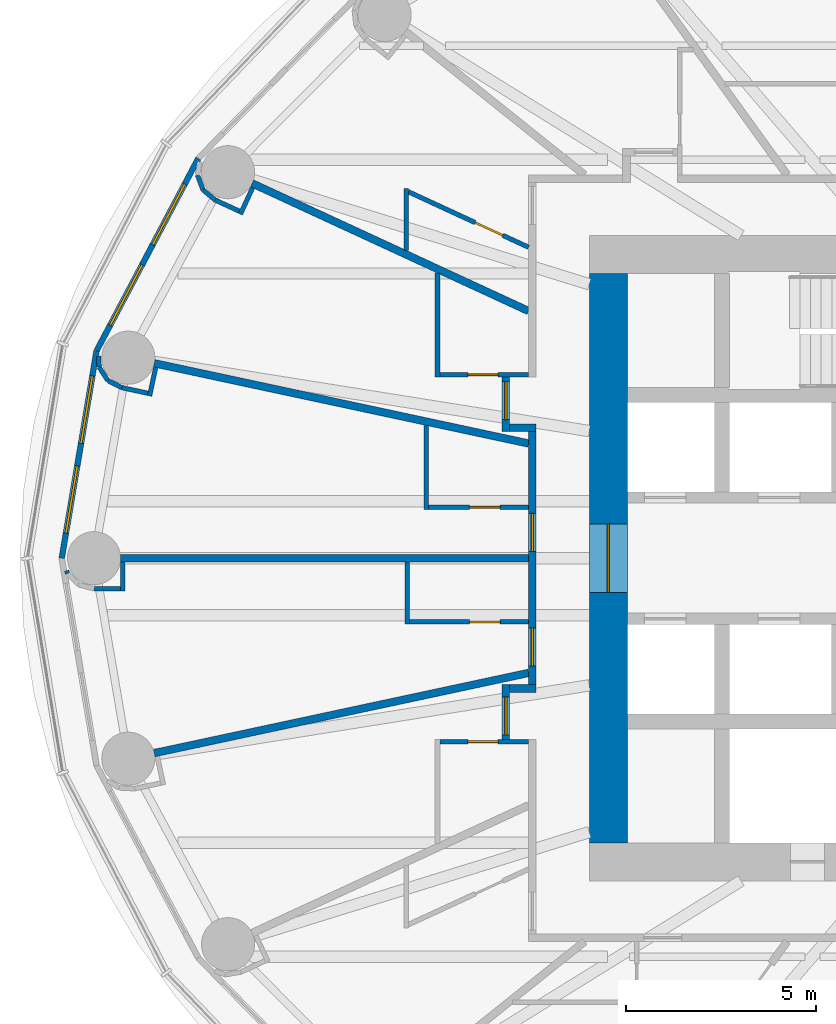
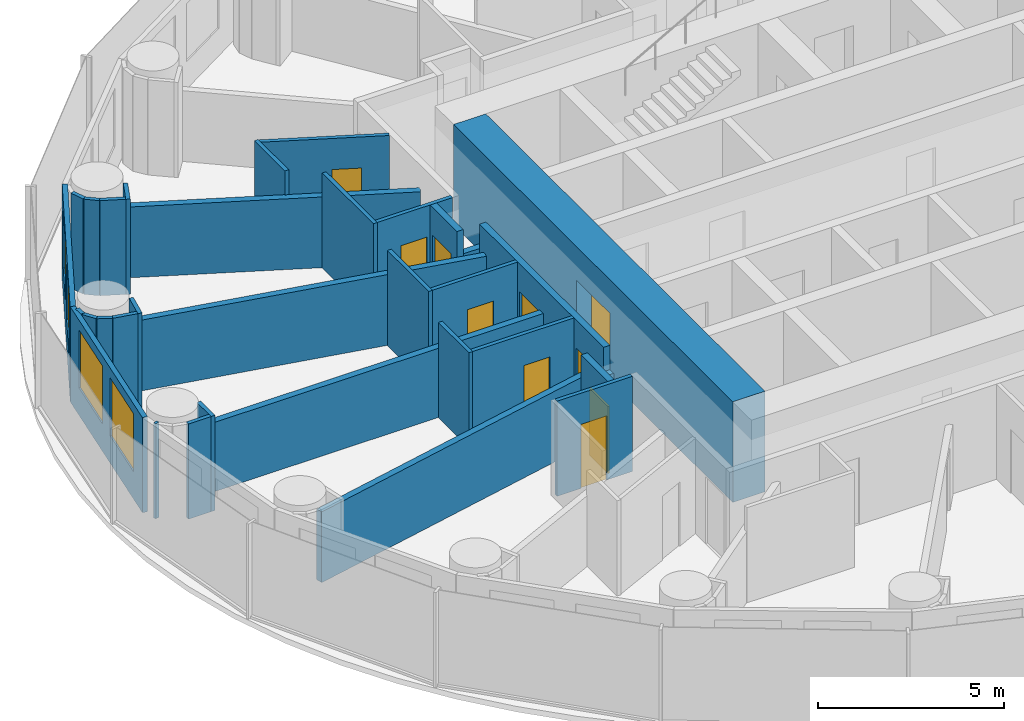
# One storey, part 8 of 16: 33 walls, 10 doors, 4 windows, 14 openings.
"""IFC4 building model written with IfcOpenShell, lengths in metres."""

from ifc_helpers import new_model, si_unit, direction, frame, frame_2d, origin, place, context, subcontext, project, spatial, rectangle, extrude, material, layer, layer_set, type_object, element, fill, save


model = new_model("IFC4")

# Units and contexts
model_context = context("Model", 3, precision=1e-05, world=origin(), true_north=direction((0.0, 1.0)))
body_context = subcontext(model_context, "Body", "Model", "MODEL_VIEW")
ifc_project = project(units=[si_unit("LENGTHUNIT", "METRE"), si_unit("AREAUNIT", "SQUARE_METRE"), si_unit("VOLUMEUNIT", "CUBIC_METRE"), si_unit("PLANEANGLEUNIT", "RADIAN"), si_unit("MASSUNIT", "GRAM", prefix="KILO")], contexts=[model_context])

# Site, building, storey
site_placement = place(None, origin())
site = spatial("IfcSite", under=ifc_project, at=site_placement, CompositionType="ELEMENT")
building_placement = place(site_placement, origin())
building = spatial("IfcBuilding", under=site, at=building_placement, Name="Hankou Lantern Tower", CompositionType="ELEMENT")
storey_placement = place(building_placement, frame((0.0, 0.0, 73.800048828125)))
storey = spatial("IfcBuildingStorey", under=building, at=storey_placement, Name="L18", CompositionType="ELEMENT", Elevation=73.800048828125)

# Wall, opening, door
ifc_material_1 = material(Name="Concrete C60", Category="concrete")
ifc_layer_1 = layer(ifc_material_1, 1.0)
ifc_layer_set_1 = layer_set([ifc_layer_1], Name="Concrete C60")
wall_type_1 = type_object("IfcWallType", Name="CW1 CORE WALL 1000", PredefinedType="SHEAR", material=ifc_layer_set_1)
wall_1_placement = place(storey_placement, frame((-12.0, 7.5, 0.0), z_axis=(0.0, 0.0, 1.0), x_axis=(0.0, -1.0, 0.0)))
wall_1 = element("IfcWall", 1, at=wall_1_placement, inside=storey, type_object=wall_type_1, Name="Core wall west L18", PredefinedType="SHEAR", context=body_context, shape_type="SweptSolid", body=[
    extrude(rectangle(XDim=15.0, YDim=1.0, at=frame_2d((7.5, 0.0))), origin(), (0.0, 0.0, 1.0), 3.300048828125),
])
opening_1_placement = place(wall_1_placement, frame((6.60009765625, 0.0, 0.0)))
opening_1 = element("IfcOpeningElement", 2, at=opening_1_placement, cuts=wall_1, Name="Opening D6", PredefinedType="OPENING", context=body_context, shape_type="SweptSolid", body=[
    extrude(rectangle(XDim=1.800048828125, YDim=2.199951171875, at=frame_2d((0.89990234375, 1.10009765625))), frame((0.0, 0.510009765625, 0.0), z_axis=(0.0, -1.0, 0.0), x_axis=(1.0, 0.0, 0.0)), (0.0, 0.0, 1.0), 1.02001953125),
])
ifc_material_2 = material(Name="Steel door leaf", Category="steel")
door_type_1 = type_object("IfcDoorType", Name="D6 LIFT LOBBY DOOR 1800X2200", OperationType="DOUBLE_DOOR_DOUBLE_SWING", PredefinedType="DOOR", material=ifc_material_2)
door_1_placement = place(opening_1_placement, origin())
door_1 = element("IfcDoor", 3, at=door_1_placement, inside=storey, type_object=door_type_1, Name="Lift lobby west door", OperationType="DOUBLE_DOOR_DOUBLE_SWING", OverallHeight=2.199951171875, OverallWidth=1.800048828125, PredefinedType="DOOR", context=body_context, shape_type="SweptSolid", body=[
    extrude(rectangle(XDim=1.800048828125, YDim=2.199951171875, at=frame_2d((0.89990234375, 1.10009765625))), frame((0.0, 0.02490234375, 0.0), z_axis=(0.0, -1.0, 0.0), x_axis=(1.0, 0.0, 0.0)), (0.0, 0.0, 1.0), 0.050048828125),
])
fill(opening_1, door_1)

# Wall, openings, windows
ifc_material_3 = material(Name="Aluminium spandrel panel on steel studs", Category="steel")
ifc_layer_2 = layer(ifc_material_3, 0.14990234375)
ifc_layer_set_2 = layer_set([ifc_layer_2], Name="Aluminium spandrel panel on steel studs")
wall_type_2 = type_object("IfcWallType", Name="EW1 INNER SKIN WALL 150", PredefinedType="ELEMENTEDWALL", material=ifc_layer_set_2)
wall_2_placement = place(storey_placement, frame((-22.802734375, 10.5322265625, 0.0), z_axis=(0.0, 0.0, 1.0), x_axis=(-0.467296867008, -0.884100468321, 0.0)))
wall_2 = element("IfcWall", 4, at=wall_2_placement, inside=storey, type_object=wall_type_2, Name="Inner skin R11-R12 L18", PredefinedType="ELEMENTEDWALL", context=body_context, shape_type="SweptSolid", body=[
    extrude(rectangle(XDim=5.734375, YDim=0.14990234375, at=frame_2d((2.8671875, 0.0))), origin(), (0.0, 0.0, 1.0), 3.119873046875),
])
opening_2_placement = place(wall_2_placement, frame((0.76708984375, 0.0, 0.89990234375)))
opening_2 = element("IfcOpeningElement", 5, at=opening_2_placement, cuts=wall_2, Name="Opening W1", PredefinedType="OPENING", context=body_context, shape_type="SweptSolid", body=[
    extrude(rectangle(XDim=1.800048828125, YDim=1.89990234375, at=frame_2d((0.89990234375, 0.949951171875))), frame((0.0, 0.0849609375, 0.0), z_axis=(0.0, -1.0, 0.0), x_axis=(1.0, 0.0, 0.0)), (0.0, 0.0, 1.0), 0.169921875),
])
opening_3_placement = place(wall_2_placement, frame((3.167236328125, 0.0, 0.89990234375)))
opening_3 = element("IfcOpeningElement", 6, at=opening_3_placement, cuts=wall_2, Name="Opening W1", PredefinedType="OPENING", context=body_context, shape_type="SweptSolid", body=[
    extrude(rectangle(XDim=1.800048828125, YDim=1.89990234375, at=frame_2d((0.89990234375, 0.949951171875))), frame((0.0, 0.0849609375, 0.0), z_axis=(0.0, -1.0, 0.0), x_axis=(1.0, 0.0, 0.0)), (0.0, 0.0, 1.0), 0.169921875),
])
ifc_material_4 = material(Name="Aluminium framed double glazed window", Category="aluminium")
window_type = type_object("IfcWindowType", Name="W1 GUEST ROOM WINDOW 1800X1900", PartitioningType="DOUBLE_PANEL_VERTICAL", PredefinedType="WINDOW", material=ifc_material_4)
window_1_placement = place(opening_2_placement, origin())
window_1 = element("IfcWindow", 7, at=window_1_placement, inside=storey, type_object=window_type, Name="Window R11.1 L18", OverallHeight=1.89990234375, OverallWidth=1.800048828125, PartitioningType="SINGLE_PANEL", PredefinedType="WINDOW", context=body_context, shape_type="SweptSolid", body=[
    extrude(rectangle(XDim=1.800048828125, YDim=1.89990234375, at=frame_2d((0.89990234375, 0.949951171875))), frame((0.0, 0.030029296875, 0.0), z_axis=(0.0, -1.0, 0.0), x_axis=(1.0, 0.0, 0.0)), (0.0, 0.0, 1.0), 0.06005859375),
])
fill(opening_2, window_1)
window_2_placement = place(opening_3_placement, origin())
window_2 = element("IfcWindow", 8, at=window_2_placement, inside=storey, type_object=window_type, Name="Window R11.2 L18", OverallHeight=1.89990234375, OverallWidth=1.800048828125, PartitioningType="SINGLE_PANEL", PredefinedType="WINDOW", context=body_context, shape_type="SweptSolid", body=[
    extrude(rectangle(XDim=1.800048828125, YDim=1.89990234375, at=frame_2d((0.89990234375, 0.949951171875))), frame((0.0, 0.030029296875, 0.0), z_axis=(0.0, -1.0, 0.0), x_axis=(1.0, 0.0, 0.0)), (0.0, 0.0, 1.0), 0.06005859375),
])
fill(opening_3, window_2)

wall_3_placement = place(storey_placement, frame((-25.482421875, 5.46240234375, 0.0), z_axis=(0.0, 0.0, 1.0), x_axis=(-0.165642551694, -0.986185857264, 0.0)))
wall_3 = element("IfcWall", 9, at=wall_3_placement, inside=storey, type_object=wall_type_2, Name="Inner skin R12-R13 L18", PredefinedType="ELEMENTEDWALL", context=body_context, shape_type="SweptSolid", body=[
    extrude(rectangle(XDim=5.538818359375, YDim=0.14990234375, at=frame_2d((2.76953125, 0.0))), origin(), (0.0, 0.0, 1.0), 3.119873046875),
])
opening_4_placement = place(wall_3_placement, frame((0.66943359375, 0.0, 0.89990234375)))
opening_4 = element("IfcOpeningElement", 10, at=opening_4_placement, cuts=wall_3, Name="Opening W1", PredefinedType="OPENING", context=body_context, shape_type="SweptSolid", body=[
    extrude(rectangle(XDim=1.800048828125, YDim=1.89990234375, at=frame_2d((0.89990234375, 0.949951171875))), frame((0.0, 0.0849609375, 0.0), z_axis=(0.0, -1.0, 0.0), x_axis=(1.0, 0.0, 0.0)), (0.0, 0.0, 1.0), 0.169921875),
])
opening_5_placement = place(wall_3_placement, frame((3.069580078125, 0.0, 0.89990234375)))
opening_5 = element("IfcOpeningElement", 11, at=opening_5_placement, cuts=wall_3, Name="Opening W1", PredefinedType="OPENING", context=body_context, shape_type="SweptSolid", body=[
    extrude(rectangle(XDim=1.800048828125, YDim=1.89990234375, at=frame_2d((0.89990234375, 0.949951171875))), frame((0.0, 0.0849609375, 0.0), z_axis=(0.0, -1.0, 0.0), x_axis=(1.0, 0.0, 0.0)), (0.0, 0.0, 1.0), 0.169921875),
])
window_3_placement = place(opening_4_placement, origin())
window_3 = element("IfcWindow", 12, at=window_3_placement, inside=storey, type_object=window_type, Name="Window R12.1 L18", OverallHeight=1.89990234375, OverallWidth=1.800048828125, PartitioningType="SINGLE_PANEL", PredefinedType="WINDOW", context=body_context, shape_type="SweptSolid", body=[
    extrude(rectangle(XDim=1.800048828125, YDim=1.89990234375, at=frame_2d((0.89990234375, 0.949951171875))), frame((0.0, 0.030029296875, 0.0), z_axis=(0.0, -1.0, 0.0), x_axis=(1.0, 0.0, 0.0)), (0.0, 0.0, 1.0), 0.06005859375),
])
fill(opening_4, window_3)
window_4_placement = place(opening_5_placement, origin())
window_4 = element("IfcWindow", 13, at=window_4_placement, inside=storey, type_object=window_type, Name="Window R12.2 L18", OverallHeight=1.89990234375, OverallWidth=1.800048828125, PartitioningType="SINGLE_PANEL", PredefinedType="WINDOW", context=body_context, shape_type="SweptSolid", body=[
    extrude(rectangle(XDim=1.800048828125, YDim=1.89990234375, at=frame_2d((0.89990234375, 0.949951171875))), frame((0.0, 0.030029296875, 0.0), z_axis=(0.0, -1.0, 0.0), x_axis=(1.0, 0.0, 0.0)), (0.0, 0.0, 1.0), 0.06005859375),
])
fill(opening_5, window_4)

# Walls
ifc_material_5 = material(Name="Masonry lightweight concrete block", Category="masonry")
ifc_layer_3 = layer(ifc_material_5, 0.199951171875)
ifc_layer_set_3 = layer_set([ifc_layer_3], Name="Masonry lightweight concrete block")
wall_type_3 = type_object("IfcWallType", Name="IW1 GUEST ROOM PARTY WALL 200", PredefinedType="PARTITIONING", material=ifc_layer_set_3)
wall_4_placement = place(storey_placement, frame((-14.10009765625, 6.512451171875, 0.0), z_axis=(0.0, 0.0, 1.0), x_axis=(-0.907832871056, 0.419332181247, 0.0)))
element("IfcWall", 14, at=wall_4_placement, inside=storey, type_object=wall_type_3, Name="Party wall R11", PredefinedType="PARTITIONING", context=body_context, shape_type="SweptSolid", body=[
    extrude(rectangle(XDim=8.02294921875, YDim=0.199951171875, at=frame_2d((4.011474609375, 0.0))), origin(), (0.0, 0.0, 1.0), 2.320068359375),
])
wall_5_placement = place(storey_placement, frame((-14.10009765625, 3.0224609375, 0.0), z_axis=(0.0, 0.0, 1.0), x_axis=(-0.977790014929, 0.209586943072, 0.0)))
element("IfcWall", 15, at=wall_5_placement, inside=storey, type_object=wall_type_3, Name="Party wall R12", PredefinedType="PARTITIONING", context=body_context, shape_type="SweptSolid", body=[
    extrude(rectangle(XDim=10.086669921875, YDim=0.199951171875, at=frame_2d((5.04345703125, 0.0))), origin(), (0.0, 0.0, 1.0), 2.320068359375),
])
wall_6_placement = place(storey_placement, frame((-14.10009765625, 0.0, 0.0), z_axis=(0.0, 0.0, 1.0), x_axis=(-1.0, 0.0, 0.0)))
element("IfcWall", 16, at=wall_6_placement, inside=storey, type_object=wall_type_3, Name="Party wall R13", PredefinedType="PARTITIONING", context=body_context, shape_type="SweptSolid", body=[
    extrude(rectangle(XDim=10.75, YDim=0.199951171875, at=frame_2d((5.375, 0.0))), origin(), (0.0, 0.0, 1.0), 2.27001953125),
])
wall_7_placement = place(storey_placement, frame((-14.10009765625, -3.0224609375, 0.0), z_axis=(0.0, 0.0, 1.0), x_axis=(-0.977790014929, -0.209586943072, 0.0)))
element("IfcWall", 17, at=wall_7_placement, inside=storey, type_object=wall_type_3, Name="Party wall R14", PredefinedType="PARTITIONING", context=body_context, shape_type="SweptSolid", body=[
    extrude(rectangle(XDim=10.086669921875, YDim=0.199951171875, at=frame_2d((5.04345703125, 0.0))), origin(), (0.0, 0.0, 1.0), 2.320068359375),
])

# Wall, opening, door
ifc_material_6 = material(Name="Masonry lightweight concrete block", Category="masonry")
ifc_layer_4 = layer(ifc_material_6, 0.199951171875)
ifc_layer_set_4 = layer_set([ifc_layer_4], Name="Masonry lightweight concrete block")
wall_type_4 = type_object("IfcWallType", Name="IW2 CORRIDOR WALL 200", PredefinedType="PARTITIONING", material=ifc_layer_set_4)
wall_8_placement = place(storey_placement, frame((-14.699951171875, 4.7724609375, 0.0), z_axis=(0.0, 0.0, 1.0), x_axis=(0.0, -1.0, 0.0)))
wall_8 = element("IfcWall", 18, at=wall_8_placement, inside=storey, type_object=wall_type_4, Name="Corridor recess wall 1816 back", PredefinedType="PARTITIONING", context=body_context, shape_type="SweptSolid", body=[
    extrude(rectangle(XDim=1.43994140625, YDim=0.199951171875, at=frame_2d((0.719970703125, 0.0))), origin(), (0.0, 0.0, 1.0), 3.119873046875),
])
opening_6_placement = place(wall_8_placement, frame((0.1201171875, 0.0, 0.0)))
opening_6 = element("IfcOpeningElement", 19, at=opening_6_placement, cuts=wall_8, Name="Opening D1", PredefinedType="OPENING", context=body_context, shape_type="SweptSolid", body=[
    extrude(rectangle(XDim=1.0, YDim=2.199951171875, at=frame_2d((0.5, 1.10009765625))), frame((0.0, 0.10986328125, 0.0), z_axis=(0.0, -1.0, 0.0), x_axis=(1.0, 0.0, 0.0)), (0.0, 0.0, 1.0), 0.219970703125),
])
ifc_material_7 = material(Name="Steel door leaf", Category="steel")
door_type_2 = type_object("IfcDoorType", Name="D1 GUEST ROOM DOOR 1000X2200", OperationType="SINGLE_SWING_LEFT", PredefinedType="DOOR", material=ifc_material_7)
door_2_placement = place(opening_6_placement, origin())
door_2 = element("IfcDoor", 20, at=door_2_placement, inside=storey, type_object=door_type_2, Name="Guest room door 1816", OperationType="SINGLE_SWING_LEFT", OverallHeight=2.199951171875, OverallWidth=1.0, PredefinedType="DOOR", context=body_context, shape_type="SweptSolid", body=[
    extrude(rectangle(XDim=1.0, YDim=2.199951171875, at=frame_2d((0.5, 1.10009765625))), frame((0.0, 0.02490234375, 0.0), z_axis=(0.0, -1.0, 0.0), x_axis=(1.0, 0.0, 0.0)), (0.0, 0.0, 1.0), 0.050048828125),
])
fill(opening_6, door_2)

# Wall
wall_9_placement = place(storey_placement, frame((-13.89990234375, 3.4326171875, 0.0), z_axis=(0.0, 0.0, 1.0), x_axis=(-1.0, 0.0, 0.0)))
element("IfcWall", 21, at=wall_9_placement, inside=storey, type_object=wall_type_4, Name="Corridor recess wall 1816 side", PredefinedType="PARTITIONING", context=body_context, shape_type="SweptSolid", body=[
    extrude(rectangle(XDim=0.7001953125, YDim=0.199951171875, at=frame_2d((0.35009765625, 0.0))), origin(), (0.0, 0.0, 1.0), 2.320068359375),
])

# Wall, opening, door
wall_10_placement = place(storey_placement, frame((-14.699951171875, -3.33251953125, 0.0), z_axis=(0.0, 0.0, 1.0), x_axis=(0.0, -1.0, 0.0)))
wall_10 = element("IfcWall", 22, at=wall_10_placement, inside=storey, type_object=wall_type_4, Name="Corridor recess wall 1819 back", PredefinedType="PARTITIONING", context=body_context, shape_type="SweptSolid", body=[
    extrude(rectangle(XDim=1.43994140625, YDim=0.199951171875, at=frame_2d((0.719970703125, 0.0))), origin(), (0.0, 0.0, 1.0), 3.119873046875),
])
opening_7_placement = place(wall_10_placement, frame((0.320068359375, 0.0, 0.0)))
opening_7 = element("IfcOpeningElement", 23, at=opening_7_placement, cuts=wall_10, Name="Opening D1", PredefinedType="OPENING", context=body_context, shape_type="SweptSolid", body=[
    extrude(rectangle(XDim=1.0, YDim=2.199951171875, at=frame_2d((0.5, 1.10009765625))), frame((0.0, 0.10986328125, 0.0), z_axis=(0.0, -1.0, 0.0), x_axis=(1.0, 0.0, 0.0)), (0.0, 0.0, 1.0), 0.219970703125),
])
door_3_placement = place(opening_7_placement, origin())
door_3 = element("IfcDoor", 24, at=door_3_placement, inside=storey, type_object=door_type_2, Name="Guest room door 1819", OperationType="SINGLE_SWING_RIGHT", OverallHeight=2.199951171875, OverallWidth=1.0, PredefinedType="DOOR", context=body_context, shape_type="SweptSolid", body=[
    extrude(rectangle(XDim=1.0, YDim=2.199951171875, at=frame_2d((0.5, 1.10009765625))), frame((0.0, 0.02490234375, 0.0), z_axis=(0.0, -1.0, 0.0), x_axis=(1.0, 0.0, 0.0)), (0.0, 0.0, 1.0), 0.050048828125),
])
fill(opening_7, door_3)

# Wall
wall_11_placement = place(storey_placement, frame((-13.89990234375, -3.4326171875, 0.0), z_axis=(0.0, 0.0, 1.0), x_axis=(-1.0, 0.0, 0.0)))
element("IfcWall", 25, at=wall_11_placement, inside=storey, type_object=wall_type_4, Name="Corridor recess wall 1819 side", PredefinedType="PARTITIONING", context=body_context, shape_type="SweptSolid", body=[
    extrude(rectangle(XDim=0.7001953125, YDim=0.199951171875, at=frame_2d((0.35009765625, 0.0))), origin(), (0.0, 0.0, 1.0), 2.320068359375),
])

# Wall, openings, doors
wall_12_placement = place(storey_placement, frame((-14.0, 3.33251953125, 0.0), z_axis=(0.0, 0.0, 1.0), x_axis=(0.0, -1.0, 0.0)))
wall_12 = element("IfcWall", 26, at=wall_12_placement, inside=storey, type_object=wall_type_4, Name="Corridor wall west", PredefinedType="PARTITIONING", context=body_context, shape_type="SweptSolid", body=[
    extrude(rectangle(XDim=6.6650390625, YDim=0.199951171875, at=frame_2d((3.33251953125, 0.0))), origin(), (0.0, 0.0, 1.0), 3.119873046875),
])
opening_8_placement = place(wall_12_placement, frame((2.14990234375, 0.0, 0.0)))
opening_8 = element("IfcOpeningElement", 27, at=opening_8_placement, cuts=wall_12, Name="Opening D1", PredefinedType="OPENING", context=body_context, shape_type="SweptSolid", body=[
    extrude(rectangle(XDim=1.0, YDim=2.199951171875, at=frame_2d((0.5, 1.10009765625))), frame((0.0, 0.10986328125, 0.0), z_axis=(0.0, -1.0, 0.0), x_axis=(1.0, 0.0, 0.0)), (0.0, 0.0, 1.0), 0.219970703125),
])
opening_9_placement = place(wall_12_placement, frame((5.172607421875, 0.0, 0.0)))
opening_9 = element("IfcOpeningElement", 28, at=opening_9_placement, cuts=wall_12, Name="Opening D1", PredefinedType="OPENING", context=body_context, shape_type="SweptSolid", body=[
    extrude(rectangle(XDim=1.0, YDim=2.199951171875, at=frame_2d((0.5, 1.10009765625))), frame((0.0, 0.10986328125, 0.0), z_axis=(0.0, -1.0, 0.0), x_axis=(1.0, 0.0, 0.0)), (0.0, 0.0, 1.0), 0.219970703125),
])
door_4_placement = place(opening_8_placement, origin())
door_4 = element("IfcDoor", 29, at=door_4_placement, inside=storey, type_object=door_type_2, Name="Guest room door 1817", OperationType="SINGLE_SWING_LEFT", OverallHeight=2.199951171875, OverallWidth=1.0, PredefinedType="DOOR", context=body_context, shape_type="SweptSolid", body=[
    extrude(rectangle(XDim=1.0, YDim=2.199951171875, at=frame_2d((0.5, 1.10009765625))), frame((0.0, 0.02490234375, 0.0), z_axis=(0.0, -1.0, 0.0), x_axis=(1.0, 0.0, 0.0)), (0.0, 0.0, 1.0), 0.050048828125),
])
fill(opening_8, door_4)
door_5_placement = place(opening_9_placement, origin())
door_5 = element("IfcDoor", 30, at=door_5_placement, inside=storey, type_object=door_type_2, Name="Guest room door 1818", OperationType="SINGLE_SWING_RIGHT", OverallHeight=2.199951171875, OverallWidth=1.0, PredefinedType="DOOR", context=body_context, shape_type="SweptSolid", body=[
    extrude(rectangle(XDim=1.0, YDim=2.199951171875, at=frame_2d((0.5, 1.10009765625))), frame((0.0, 0.02490234375, 0.0), z_axis=(0.0, -1.0, 0.0), x_axis=(1.0, 0.0, 0.0)), (0.0, 0.0, 1.0), 0.050048828125),
])
fill(opening_9, door_5)

# Wall
ifc_material_8 = material(Name="Masonry lightweight concrete block", Category="masonry")
ifc_layer_5 = layer(ifc_material_8, 0.1201171875)
ifc_layer_set_5 = layer_set([ifc_layer_5], Name="Masonry lightweight concrete block")
wall_type_5 = type_object("IfcWallType", Name="IW3 BATHROOM WALL 120", PredefinedType="PARTITIONING", material=ifc_layer_set_5)
wall_13_placement = place(storey_placement, frame((-17.32275390625, 8.10107421875, 0.0), z_axis=(0.0, 0.0, 1.0), x_axis=(0.0, 1.0, 0.0)))
element("IfcWall", 31, at=wall_13_placement, inside=storey, type_object=wall_type_5, Name="Box wall 1815 1", PredefinedType="PARTITIONING", context=body_context, shape_type="SweptSolid", body=[
    extrude(rectangle(XDim=1.639892578125, YDim=0.1201171875, at=frame_2d((0.81982421875, 0.0))), origin(), (0.0, 0.0, 1.0), 3.119873046875),
])

# Wall, opening, door
wall_14_placement = place(storey_placement, frame((-14.10009765625, 8.192626953125, 0.0), z_axis=(0.0, 0.0, 1.0), x_axis=(-0.907836493557, 0.419324338628, 0.0)))
wall_14 = element("IfcWall", 32, at=wall_14_placement, inside=storey, type_object=wall_type_5, Name="Box wall 1815 1", PredefinedType="PARTITIONING", context=body_context, shape_type="SweptSolid", body=[
    extrude(rectangle(XDim=3.48974609375, YDim=0.1201171875, at=frame_2d((1.744873046875, 0.0))), origin(), (0.0, 0.0, 1.0), 3.119873046875),
])
opening_10_placement = place(wall_14_placement, frame((0.75, 0.0, 0.0)))
opening_10 = element("IfcOpeningElement", 33, at=opening_10_placement, cuts=wall_14, Name="Opening D3", PredefinedType="OPENING", context=body_context, shape_type="SweptSolid", body=[
    extrude(rectangle(XDim=0.800048828125, YDim=2.10009765625, at=frame_2d((0.39990234375, 1.050048828125))), frame((0.0, 0.070068359375, 0.0), z_axis=(0.0, -1.0, 0.0), x_axis=(1.0, 0.0, 0.0)), (0.0, 0.0, 1.0), 0.14013671875),
])
ifc_material_9 = material(Name="Timber door leaf", Category="wood")
door_type_3 = type_object("IfcDoorType", Name="D3 BATHROOM DOOR 800X2100", OperationType="SINGLE_SWING_LEFT", PredefinedType="DOOR", material=ifc_material_9)
door_6_placement = place(opening_10_placement, origin())
door_6 = element("IfcDoor", 34, at=door_6_placement, inside=storey, type_object=door_type_3, Name="En-suite bathroom 1815 door", OperationType="SINGLE_SWING_LEFT", OverallHeight=2.10009765625, OverallWidth=0.800048828125, PredefinedType="DOOR", context=body_context, shape_type="SweptSolid", body=[
    extrude(rectangle(XDim=0.800048828125, YDim=2.10009765625, at=frame_2d((0.39990234375, 1.050048828125))), frame((0.0, 0.02490234375, 0.0), z_axis=(0.0, -1.0, 0.0), x_axis=(1.0, 0.0, 0.0)), (0.0, 0.0, 1.0), 0.050048828125),
])
fill(opening_10, door_6)

# Wall
wall_15_placement = place(storey_placement, frame((-16.5, 7.52099609375, 0.0), z_axis=(0.0, 0.0, 1.0), x_axis=(0.0, -1.0, 0.0)))
element("IfcWall", 35, at=wall_15_placement, inside=storey, type_object=wall_type_5, Name="Box wall 1816 1", PredefinedType="PARTITIONING", context=body_context, shape_type="SweptSolid", body=[
    extrude(rectangle(XDim=2.74853515625, YDim=0.1201171875, at=frame_2d((1.374267578125, 0.0))), origin(), (0.0, 0.0, 1.0), 3.119873046875),
])

# Wall, opening, door
wall_16_placement = place(storey_placement, frame((-14.10009765625, 4.83251953125, 0.0), z_axis=(0.0, 0.0, 1.0), x_axis=(-1.0, 0.0, 0.0)))
wall_16 = element("IfcWall", 36, at=wall_16_placement, inside=storey, type_object=wall_type_5, Name="Box wall 1816 1", PredefinedType="PARTITIONING", context=body_context, shape_type="SweptSolid", body=[
    extrude(rectangle(XDim=2.33984375, YDim=0.1201171875, at=frame_2d((1.169921875, 0.0))), origin(), (0.0, 0.0, 1.0), 3.119873046875),
])
opening_11_placement = place(wall_16_placement, frame((0.800048828125, 0.0, 0.0)))
opening_11 = element("IfcOpeningElement", 37, at=opening_11_placement, cuts=wall_16, Name="Opening D3", PredefinedType="OPENING", context=body_context, shape_type="SweptSolid", body=[
    extrude(rectangle(XDim=0.800048828125, YDim=2.10009765625, at=frame_2d((0.39990234375, 1.050048828125))), frame((0.0, 0.070068359375, 0.0), z_axis=(0.0, -1.0, 0.0), x_axis=(1.0, 0.0, 0.0)), (0.0, 0.0, 1.0), 0.14013671875),
])
door_7_placement = place(opening_11_placement, origin())
door_7 = element("IfcDoor", 38, at=door_7_placement, inside=storey, type_object=door_type_3, Name="En-suite bathroom 1816 door", OperationType="SINGLE_SWING_LEFT", OverallHeight=2.10009765625, OverallWidth=0.800048828125, PredefinedType="DOOR", context=body_context, shape_type="SweptSolid", body=[
    extrude(rectangle(XDim=0.800048828125, YDim=2.10009765625, at=frame_2d((0.39990234375, 1.050048828125))), frame((0.0, 0.02490234375, 0.0), z_axis=(0.0, -1.0, 0.0), x_axis=(1.0, 0.0, 0.0)), (0.0, 0.0, 1.0), 0.050048828125),
])
fill(opening_11, door_7)

# Wall
wall_17_placement = place(storey_placement, frame((-16.800048828125, 3.501220703125, 0.0), z_axis=(0.0, 0.0, 1.0), x_axis=(0.0, -1.0, 0.0)))
element("IfcWall", 39, at=wall_17_placement, inside=storey, type_object=wall_type_5, Name="Box wall 1817 1", PredefinedType="PARTITIONING", context=body_context, shape_type="SweptSolid", body=[
    extrude(rectangle(XDim=2.21875, YDim=0.1201171875, at=frame_2d((1.109375, 0.0))), origin(), (0.0, 0.0, 1.0), 3.119873046875),
])

# Wall, opening, door
wall_18_placement = place(storey_placement, frame((-14.10009765625, 1.342529296875, 0.0), z_axis=(0.0, 0.0, 1.0), x_axis=(-1.0, 0.0, 0.0)))
wall_18 = element("IfcWall", 40, at=wall_18_placement, inside=storey, type_object=wall_type_5, Name="Box wall 1817 1", PredefinedType="PARTITIONING", context=body_context, shape_type="SweptSolid", body=[
    extrude(rectangle(XDim=2.639892578125, YDim=0.1201171875, at=frame_2d((1.31982421875, 0.0))), origin(), (0.0, 0.0, 1.0), 3.119873046875),
])
opening_12_placement = place(wall_18_placement, frame((0.75, 0.0, 0.0)))
opening_12 = element("IfcOpeningElement", 41, at=opening_12_placement, cuts=wall_18, Name="Opening D3", PredefinedType="OPENING", context=body_context, shape_type="SweptSolid", body=[
    extrude(rectangle(XDim=0.800048828125, YDim=2.10009765625, at=frame_2d((0.39990234375, 1.050048828125))), frame((0.0, 0.070068359375, 0.0), z_axis=(0.0, -1.0, 0.0), x_axis=(1.0, 0.0, 0.0)), (0.0, 0.0, 1.0), 0.14013671875),
])
door_8_placement = place(opening_12_placement, origin())
door_8 = element("IfcDoor", 42, at=door_8_placement, inside=storey, type_object=door_type_3, Name="En-suite bathroom 1817 door", OperationType="SINGLE_SWING_LEFT", OverallHeight=2.10009765625, OverallWidth=0.800048828125, PredefinedType="DOOR", context=body_context, shape_type="SweptSolid", body=[
    extrude(rectangle(XDim=0.800048828125, YDim=2.10009765625, at=frame_2d((0.39990234375, 1.050048828125))), frame((0.0, 0.02490234375, 0.0), z_axis=(0.0, -1.0, 0.0), x_axis=(1.0, 0.0, 0.0)), (0.0, 0.0, 1.0), 0.050048828125),
])
fill(opening_12, door_8)

# Wall
wall_19_placement = place(storey_placement, frame((-17.300048828125, -0.10009765625, 0.0), z_axis=(0.0, 0.0, 1.0), x_axis=(0.0, -1.0, 0.0)))
element("IfcWall", 43, at=wall_19_placement, inside=storey, type_object=wall_type_5, Name="Box wall 1818 1", PredefinedType="PARTITIONING", context=body_context, shape_type="SweptSolid", body=[
    extrude(rectangle(XDim=1.639892578125, YDim=0.1201171875, at=frame_2d((0.81982421875, 0.0))), origin(), (0.0, 0.0, 1.0), 3.119873046875),
])

# Wall, opening, door
wall_20_placement = place(storey_placement, frame((-14.10009765625, -1.679931640625, 0.0), z_axis=(0.0, 0.0, 1.0), x_axis=(-1.0, 0.0, 0.0)))
wall_20 = element("IfcWall", 44, at=wall_20_placement, inside=storey, type_object=wall_type_5, Name="Box wall 1818 1", PredefinedType="PARTITIONING", context=body_context, shape_type="SweptSolid", body=[
    extrude(rectangle(XDim=3.139892578125, YDim=0.1201171875, at=frame_2d((1.56982421875, 0.0))), origin(), (0.0, 0.0, 1.0), 3.119873046875),
])
opening_13_placement = place(wall_20_placement, frame((0.75, 0.0, 0.0)))
opening_13 = element("IfcOpeningElement", 45, at=opening_13_placement, cuts=wall_20, Name="Opening D3", PredefinedType="OPENING", context=body_context, shape_type="SweptSolid", body=[
    extrude(rectangle(XDim=0.800048828125, YDim=2.10009765625, at=frame_2d((0.39990234375, 1.050048828125))), frame((0.0, 0.070068359375, 0.0), z_axis=(0.0, -1.0, 0.0), x_axis=(1.0, 0.0, 0.0)), (0.0, 0.0, 1.0), 0.14013671875),
])
door_9_placement = place(opening_13_placement, origin())
door_9 = element("IfcDoor", 46, at=door_9_placement, inside=storey, type_object=door_type_3, Name="En-suite bathroom 1818 door", OperationType="SINGLE_SWING_LEFT", OverallHeight=2.10009765625, OverallWidth=0.800048828125, PredefinedType="DOOR", context=body_context, shape_type="SweptSolid", body=[
    extrude(rectangle(XDim=0.800048828125, YDim=2.10009765625, at=frame_2d((0.39990234375, 1.050048828125))), frame((0.0, 0.02490234375, 0.0), z_axis=(0.0, -1.0, 0.0), x_axis=(1.0, 0.0, 0.0)), (0.0, 0.0, 1.0), 0.050048828125),
])
fill(opening_13, door_9)

wall_21_placement = place(storey_placement, frame((-14.10009765625, -4.83251953125, 0.0), z_axis=(0.0, 0.0, 1.0), x_axis=(-1.0, 0.0, 0.0)))
wall_21 = element("IfcWall", 47, at=wall_21_placement, inside=storey, type_object=wall_type_5, Name="Box wall 1819 1", PredefinedType="PARTITIONING", context=body_context, shape_type="SweptSolid", body=[
    extrude(rectangle(XDim=2.33984375, YDim=0.1201171875, at=frame_2d((1.169921875, 0.0))), origin(), (0.0, 0.0, 1.0), 3.119873046875),
])
opening_14_placement = place(wall_21_placement, frame((0.800048828125, 0.0, 0.0)))
opening_14 = element("IfcOpeningElement", 48, at=opening_14_placement, cuts=wall_21, Name="Opening D3", PredefinedType="OPENING", context=body_context, shape_type="SweptSolid", body=[
    extrude(rectangle(XDim=0.800048828125, YDim=2.10009765625, at=frame_2d((0.39990234375, 1.050048828125))), frame((0.0, 0.070068359375, 0.0), z_axis=(0.0, -1.0, 0.0), x_axis=(1.0, 0.0, 0.0)), (0.0, 0.0, 1.0), 0.14013671875),
])
door_10_placement = place(opening_14_placement, origin())
door_10 = element("IfcDoor", 49, at=door_10_placement, inside=storey, type_object=door_type_3, Name="En-suite bathroom 1819 door", OperationType="SINGLE_SWING_RIGHT", OverallHeight=2.10009765625, OverallWidth=0.800048828125, PredefinedType="DOOR", context=body_context, shape_type="SweptSolid", body=[
    extrude(rectangle(XDim=0.800048828125, YDim=2.10009765625, at=frame_2d((0.39990234375, 1.050048828125))), frame((0.0, 0.02490234375, 0.0), z_axis=(0.0, -1.0, 0.0), x_axis=(1.0, 0.0, 0.0)), (0.0, 0.0, 1.0), 0.050048828125),
])
fill(opening_14, door_10)

# Walls
ifc_material_10 = material(Name="Masonry lightweight concrete block", Category="masonry")
ifc_layer_6 = layer(ifc_material_10, 0.1201171875)
ifc_layer_set_6 = layer_set([ifc_layer_6], Name="Masonry lightweight concrete block")
wall_type_6 = type_object("IfcWallType", Name="IW4 PARTITION 120", PredefinedType="PARTITIONING", material=ifc_layer_set_6)
wall_22_placement = place(storey_placement, frame((-21.37109375, 9.7607421875, 0.0), z_axis=(0.0, 0.0, 1.0), x_axis=(-0.419259891039, -0.907866258744, 0.0)))
element("IfcWall", 50, at=wall_22_placement, inside=storey, type_object=wall_type_6, Name="Column casing R11 return", PredefinedType="PARTITIONING", context=body_context, shape_type="SweptSolid", body=[
    extrude(rectangle(XDim=0.767578125, YDim=0.1201171875, at=frame_2d((0.3837890625, 0.0))), origin(), (0.0, 0.0, 1.0), 3.119873046875),
])
wall_23_placement = place(storey_placement, frame((-21.72216796875, 9.1435546875, 0.0), z_axis=(0.0, 0.0, 1.0), x_axis=(-0.907877701396, 0.419235112208, 0.0)))
element("IfcWall", 51, at=wall_23_placement, inside=storey, type_object=wall_type_6, Name="Column casing R11", PredefinedType="PARTITIONING", context=body_context, shape_type="SweptSolid", body=[
    extrude(rectangle(XDim=0.699951171875, YDim=0.1201171875, at=frame_2d((0.35009765625, 0.0))), origin(), (0.0, 0.0, 1.0), 3.119873046875),
])
wall_24_placement = place(storey_placement, frame((-22.357666015625, 9.43701171875, 0.0), z_axis=(0.0, 0.0, 1.0), x_axis=(-0.768412687942, 0.639954639806, 0.0)))
element("IfcWall", 52, at=wall_24_placement, inside=storey, type_object=wall_type_6, Name="Column casing R11", PredefinedType="PARTITIONING", context=body_context, shape_type="SweptSolid", body=[
    extrude(rectangle(XDim=0.418212890625, YDim=0.1201171875, at=frame_2d((0.208984375, 0.0))), origin(), (0.0, 0.0, 1.0), 3.119873046875),
])
wall_25_placement = place(storey_placement, frame((-22.678955078125, 9.70458984375, 0.0), z_axis=(0.0, 0.0, 1.0), x_axis=(-0.345164001646, 0.938542386879, 0.0)))
element("IfcWall", 53, at=wall_25_placement, inside=storey, type_object=wall_type_6, Name="Column casing R11", PredefinedType="PARTITIONING", context=body_context, shape_type="SweptSolid", body=[
    extrude(rectangle(XDim=0.41796875, YDim=0.1201171875, at=frame_2d((0.208984375, 0.0))), origin(), (0.0, 0.0, 1.0), 3.119873046875),
])
wall_26_placement = place(storey_placement, frame((-23.9248046875, 5.026123046875, 0.0), z_axis=(0.0, 0.0, 1.0), x_axis=(-0.209681192172, -0.977769808109, 0.0)))
element("IfcWall", 54, at=wall_26_placement, inside=storey, type_object=wall_type_6, Name="Column casing R12 return", PredefinedType="PARTITIONING", context=body_context, shape_type="SweptSolid", body=[
    extrude(rectangle(XDim=0.767333984375, YDim=0.1201171875, at=frame_2d((0.3837890625, 0.0))), origin(), (0.0, 0.0, 1.0), 3.119873046875),
])
wall_27_placement = place(storey_placement, frame((-24.1318359375, 4.346923828125, 0.0), z_axis=(0.0, 0.0, 1.0), x_axis=(-0.977776882509, 0.209648200638, 0.0)))
element("IfcWall", 55, at=wall_27_placement, inside=storey, type_object=wall_type_6, Name="Column casing R12", PredefinedType="PARTITIONING", context=body_context, shape_type="SweptSolid", body=[
    extrude(rectangle(XDim=0.699951171875, YDim=0.1201171875, at=frame_2d((0.35009765625, 0.0))), origin(), (0.0, 0.0, 1.0), 3.119873046875),
])
for number, where, z_axis, x_axis, name in (
    (56, (-24.816162109375, 4.49365234375, 0.0), (0.0, 0.0, 1.0), (-0.890303208847, 0.455368198623, 0.0), "Column casing R12"),
    (57, (-25.1884765625, 4.68408203125, 0.0), (0.0, 0.0, 1.0), (-0.543057568894, 0.839695466742, 0.0), "Column casing R12"),
):
    element("IfcWall", number, at=place(storey_placement, frame(where, z_axis=z_axis, x_axis=x_axis)), inside=storey, type_object=wall_type_6, Name=name, PredefinedType="PARTITIONING", context=body_context, shape_type="SweptSolid", body=[
        extrude(rectangle(XDim=0.418212890625, YDim=0.1201171875, at=frame_2d((0.208984375, 0.0))), origin(), (0.0, 0.0, 1.0), 3.119873046875),
    ])
wall_28_placement = place(storey_placement, frame((-25.41552734375, 5.03515625, 0.0), z_axis=(0.0, 0.0, 1.0), x_axis=(-0.050406329159, 0.998728793007, 0.0)))
element("IfcWall", 58, at=wall_28_placement, inside=storey, type_object=wall_type_6, Name="Column casing R12", PredefinedType="PARTITIONING", context=body_context, shape_type="SweptSolid", body=[
    extrude(rectangle(XDim=0.28564453125, YDim=0.1201171875, at=frame_2d((0.142822265625, 0.0))), origin(), (0.0, 0.0, 1.0), 3.119873046875),
])
wall_29_placement = place(storey_placement, frame((-24.7900390625, -0.10009765625, 0.0), z_axis=(0.0, 0.0, 1.0), x_axis=(0.0, -1.0, 0.0)))
element("IfcWall", 59, at=wall_29_placement, inside=storey, type_object=wall_type_6, Name="Column casing R13 return", PredefinedType="PARTITIONING", context=body_context, shape_type="SweptSolid", body=[
    extrude(rectangle(XDim=0.767333984375, YDim=0.1201171875, at=frame_2d((0.3837890625, 0.0))), origin(), (0.0, 0.0, 1.0), 3.119873046875),
])
wall_30_placement = place(storey_placement, frame((-24.85009765625, -0.8076171875, 0.0), z_axis=(0.0, 0.0, 1.0), x_axis=(-1.0, 0.0, 0.0)))
element("IfcWall", 60, at=wall_30_placement, inside=storey, type_object=wall_type_6, Name="Column casing R13", PredefinedType="PARTITIONING", context=body_context, shape_type="SweptSolid", body=[
    extrude(rectangle(XDim=0.699951171875, YDim=0.1201171875, at=frame_2d((0.35009765625, 0.0))), origin(), (0.0, 0.0, 1.0), 3.119873046875),
])
wall_31_placement = place(storey_placement, frame((-26.249267578125, -0.40380859375, 0.0), z_axis=(0.0, 0.0, 1.0), x_axis=(-0.259754282609, 0.965674744759, 0.0)))
element("IfcWall", 61, at=wall_31_placement, inside=storey, type_object=wall_type_6, Name="Column casing R13", PredefinedType="PARTITIONING", context=body_context, shape_type="SweptSolid", body=[
    extrude(rectangle(XDim=0.079833984375, YDim=0.1201171875, at=frame_2d((0.0400390625, 0.0))), origin(), (0.0, 0.0, 1.0), 3.119873046875),
])

save(model, "model.ifc")
